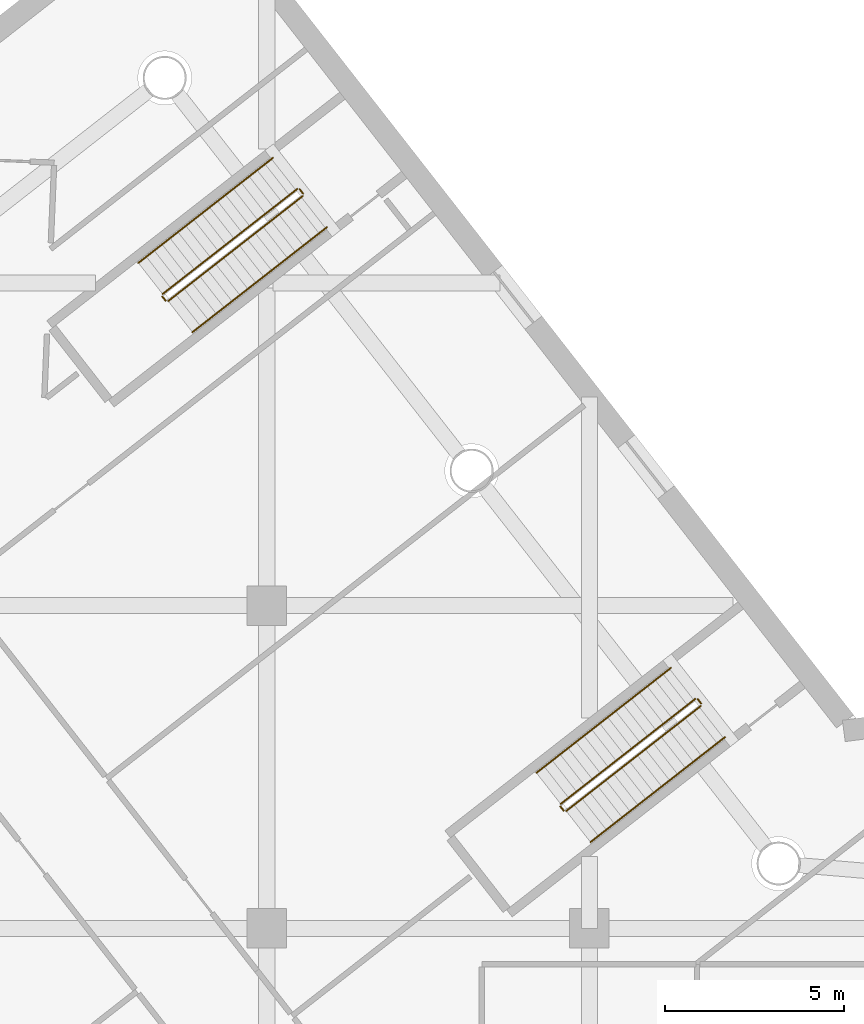
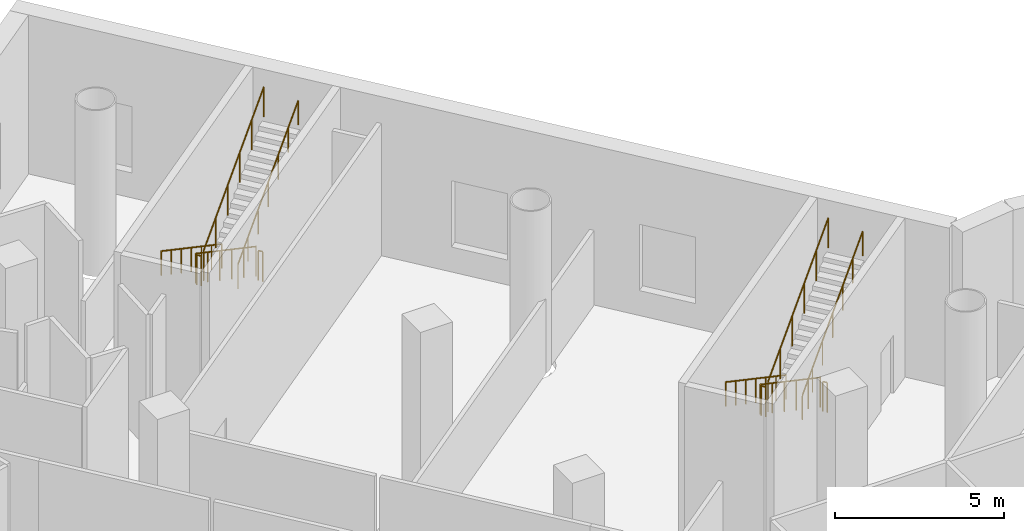
# One storey, part 24 of 24: 20 railings.
"""IFC4 building model written with IfcOpenShell, lengths in metres."""

from ifc_helpers import new_model, si_unit, direction, frame, origin, origin_2d, place, context, subcontext, project, spatial, circle, extrude, material, type_object, element, save


model = new_model("IFC4")

# Units and contexts
model_context = context("Model", 3, precision=1e-05, world=origin(), true_north=direction((0.0, 1.0)))
body_context = subcontext(model_context, "Body", "Model", "MODEL_VIEW")
ifc_project = project(units=[si_unit("LENGTHUNIT", "METRE"), si_unit("AREAUNIT", "SQUARE_METRE"), si_unit("VOLUMEUNIT", "CUBIC_METRE"), si_unit("PLANEANGLEUNIT", "RADIAN"), si_unit("MASSUNIT", "GRAM", prefix="KILO")], contexts=[model_context])

# Site, building, storey
site_placement = place(None, origin())
site = spatial("IfcSite", under=ifc_project, at=site_placement, CompositionType="ELEMENT")
building_placement = place(site_placement, origin())
building = spatial("IfcBuilding", under=site, at=building_placement, Name="Tarsis Ring Headquarters", CompositionType="ELEMENT")
storey_placement = place(building_placement, frame((0.0, 0.0, 8.0)))
storey = spatial("IfcBuildingStorey", under=building, at=storey_placement, Name="L01", CompositionType="ELEMENT", Elevation=8.0)

# Railings
ifc_material = material(Name="Stainless steel", Category="steel")
railing_type_1 = type_object("IfcRailingType", Name="PO-RL-G", PredefinedType="GUARDRAIL", material=ifc_material)
railing_1_placement = place(storey_placement, frame((-6.04931640625, 33.3994140625, 0.166748046875)))
element("IfcRailing", 1, at=railing_1_placement, inside=storey, type_object=railing_type_1, Name="L01 PS3 stair guard 1", PredefinedType="GUARDRAIL", context=body_context, shape_type="SweptSolid", body=[
    extrude(circle(Radius=0.02392578125, at=origin_2d()), frame((0.0, 0.0, 1.076171875), z_axis=(-0.677363890501, -0.528748428287, 0.511471660437), x_axis=(0.615324495023, -0.788273915479, 0.0)), (0.0, 0.0, 1.0), 5.539306640625),
    extrude(circle(Radius=0.02099609375, at=origin_2d()), origin(), (0.0, 0.0, 1.0), 1.052001953125),
    extrude(circle(Radius=0.02099609375, at=origin_2d()), frame((-0.75048828125, -0.585693359375, 0.566650390625)), (0.0, 0.0, 1.0), 1.052001953125),
    extrude(circle(Radius=0.02099609375, at=origin_2d()), frame((-1.5009765625, -1.171630859375, 1.13330078125)), (0.0, 0.0, 1.0), 1.052001953125),
    extrude(circle(Radius=0.02099609375, at=origin_2d()), frame((-2.251220703125, -1.75732421875, 1.699951171875)), (0.0, 0.0, 1.0), 1.052001953125),
    extrude(circle(Radius=0.02099609375, at=origin_2d()), frame((-3.001708984375, -2.34326171875, 2.2666015625)), (0.0, 0.0, 1.0), 1.052001953125),
    extrude(circle(Radius=0.02099609375, at=origin_2d()), frame((-3.752197265625, -2.928955078125, 2.833251953125)), (0.0, 0.0, 1.0), 1.052001953125),
])
railing_2_placement = place(storey_placement, frame((-9.810302734375, 30.400390625, 3.0)))
element("IfcRailing", 2, at=railing_2_placement, inside=storey, type_object=railing_type_1, Name="L01 PS3 stair guard 2", PredefinedType="GUARDRAIL", context=body_context, shape_type="SweptSolid", body=[
    extrude(circle(Radius=0.02392578125, at=origin_2d()), frame((0.0, 0.0, 1.076171875), z_axis=(0.615517636689, -0.788123111528, 0.0), x_axis=(0.788123111528, 0.615517636689, 0.0)), (0.0, 0.0, 1.0), 0.14990234375),
    extrude(circle(Radius=0.02099609375, at=origin_2d()), origin(), (0.0, 0.0, 1.0), 1.052001953125),
    extrude(circle(Radius=0.02099609375, at=origin_2d()), frame((0.09228515625, -0.1181640625, 0.0)), (0.0, 0.0, 1.0), 1.052001953125),
])
railing_3_placement = place(storey_placement, frame((-9.647705078125, 30.2734375, 3.166748046875)))
element("IfcRailing", 3, at=railing_3_placement, inside=storey, type_object=railing_type_1, Name="L01 PS3 stair guard 3", PredefinedType="GUARDRAIL", context=body_context, shape_type="SweptSolid", body=[
    extrude(circle(Radius=0.02392578125, at=origin_2d()), frame((0.0, 0.0, 1.076171875), z_axis=(0.677363890501, 0.528748428287, 0.511471660437), x_axis=(-0.615324495023, 0.788273915479, 0.0)), (0.0, 0.0, 1.0), 5.539306640625),
    extrude(circle(Radius=0.02099609375, at=origin_2d()), origin(), (0.0, 0.0, 1.0), 1.052001953125),
    extrude(circle(Radius=0.02099609375, at=origin_2d()), frame((0.75048828125, 0.585693359375, 0.566650390625)), (0.0, 0.0, 1.0), 1.052001953125),
    extrude(circle(Radius=0.02099609375, at=origin_2d()), frame((1.5009765625, 1.171630859375, 1.13330078125)), (0.0, 0.0, 1.0), 1.052001953125),
    extrude(circle(Radius=0.02099609375, at=origin_2d()), frame((2.251220703125, 1.75732421875, 1.699951171875)), (0.0, 0.0, 1.0), 1.052001953125),
    extrude(circle(Radius=0.02099609375, at=origin_2d()), frame((3.001708984375, 2.34326171875, 2.2666015625)), (0.0, 0.0, 1.0), 1.052001953125),
    extrude(circle(Radius=0.02099609375, at=origin_2d()), frame((3.752197265625, 2.928955078125, 2.833251953125)), (0.0, 0.0, 1.0), 1.052001953125),
])
railing_4_placement = place(storey_placement, frame((-5.979248046875, 33.390869140625, 0.0)))
element("IfcRailing", 4, at=railing_4_placement, inside=storey, type_object=railing_type_1, Name="L01 PS3 stair guard 4", PredefinedType="GUARDRAIL", context=body_context, shape_type="SweptSolid", body=[
    extrude(circle(Radius=0.02392578125, at=origin_2d()), frame((0.0, 0.0, 1.076171875), z_axis=(0.615517636689, -0.788123111528, 0.0), x_axis=(0.788123111528, 0.615517636689, 0.0)), (0.0, 0.0, 1.0), 0.14990234375),
    extrude(circle(Radius=0.02099609375, at=origin_2d()), origin(), (0.0, 0.0, 1.0), 1.052001953125),
    extrude(circle(Radius=0.02099609375, at=origin_2d()), frame((0.09228515625, -0.1181640625, 0.0)), (0.0, 0.0, 1.0), 1.052001953125),
])
railing_5_placement = place(storey_placement, frame((-17.1494140625, 47.61962890625, 0.166748046875)))
element("IfcRailing", 5, at=railing_5_placement, inside=storey, type_object=railing_type_1, Name="L01 PS4 stair guard 1", PredefinedType="GUARDRAIL", context=body_context, shape_type="SweptSolid", body=[
    extrude(circle(Radius=0.02392578125, at=origin_2d()), frame((0.0, 0.0, 1.076171875), z_axis=(-0.677363890501, -0.528748428287, 0.511471660437), x_axis=(0.615324495023, -0.788273915479, 0.0)), (0.0, 0.0, 1.0), 5.539306640625),
    extrude(circle(Radius=0.02099609375, at=origin_2d()), origin(), (0.0, 0.0, 1.0), 1.052001953125),
    extrude(circle(Radius=0.02099609375, at=origin_2d()), frame((-0.75048828125, -0.585693359375, 0.566650390625)), (0.0, 0.0, 1.0), 1.052001953125),
    extrude(circle(Radius=0.02099609375, at=origin_2d()), frame((-1.5009765625, -1.171630859375, 1.13330078125)), (0.0, 0.0, 1.0), 1.052001953125),
    extrude(circle(Radius=0.02099609375, at=origin_2d()), frame((-2.251220703125, -1.75732421875, 1.699951171875)), (0.0, 0.0, 1.0), 1.052001953125),
    extrude(circle(Radius=0.02099609375, at=origin_2d()), frame((-3.001708984375, -2.34326171875, 2.2666015625)), (0.0, 0.0, 1.0), 1.052001953125),
    extrude(circle(Radius=0.02099609375, at=origin_2d()), frame((-3.752197265625, -2.928955078125, 2.833251953125)), (0.0, 0.0, 1.0), 1.052001953125),
])
railing_6_placement = place(storey_placement, frame((-20.91015625, 44.620361328125, 3.0)))
element("IfcRailing", 6, at=railing_6_placement, inside=storey, type_object=railing_type_1, Name="L01 PS4 stair guard 2", PredefinedType="GUARDRAIL", context=body_context, shape_type="SweptSolid", body=[
    extrude(circle(Radius=0.02392578125, at=origin_2d()), frame((0.0, 0.0, 1.076171875), z_axis=(0.615517636689, -0.788123111528, 0.0), x_axis=(0.788123111528, 0.615517636689, 0.0)), (0.0, 0.0, 1.0), 0.14990234375),
    extrude(circle(Radius=0.02099609375, at=origin_2d()), origin(), (0.0, 0.0, 1.0), 1.052001953125),
    extrude(circle(Radius=0.02099609375, at=origin_2d()), frame((0.09228515625, -0.1181640625, 0.0)), (0.0, 0.0, 1.0), 1.052001953125),
])
railing_7_placement = place(storey_placement, frame((-20.747802734375, 44.493408203125, 3.166748046875)))
element("IfcRailing", 7, at=railing_7_placement, inside=storey, type_object=railing_type_1, Name="L01 PS4 stair guard 3", PredefinedType="GUARDRAIL", context=body_context, shape_type="SweptSolid", body=[
    extrude(circle(Radius=0.02392578125, at=origin_2d()), frame((0.0, 0.0, 1.076171875), z_axis=(0.677363890501, 0.528748428287, 0.511471660437), x_axis=(-0.615324495023, 0.788273915479, 0.0)), (0.0, 0.0, 1.0), 5.539306640625),
    extrude(circle(Radius=0.02099609375, at=origin_2d()), origin(), (0.0, 0.0, 1.0), 1.052001953125),
    extrude(circle(Radius=0.02099609375, at=origin_2d()), frame((0.75048828125, 0.585693359375, 0.566650390625)), (0.0, 0.0, 1.0), 1.052001953125),
    extrude(circle(Radius=0.02099609375, at=origin_2d()), frame((1.5009765625, 1.171630859375, 1.13330078125)), (0.0, 0.0, 1.0), 1.052001953125),
    extrude(circle(Radius=0.02099609375, at=origin_2d()), frame((2.251220703125, 1.75732421875, 1.699951171875)), (0.0, 0.0, 1.0), 1.052001953125),
    extrude(circle(Radius=0.02099609375, at=origin_2d()), frame((3.001708984375, 2.34326171875, 2.2666015625)), (0.0, 0.0, 1.0), 1.052001953125),
    extrude(circle(Radius=0.02099609375, at=origin_2d()), frame((3.752197265625, 2.928955078125, 2.833251953125)), (0.0, 0.0, 1.0), 1.052001953125),
])
railing_8_placement = place(storey_placement, frame((-17.0791015625, 47.61083984375, 0.0)))
element("IfcRailing", 8, at=railing_8_placement, inside=storey, type_object=railing_type_1, Name="L01 PS4 stair guard 4", PredefinedType="GUARDRAIL", context=body_context, shape_type="SweptSolid", body=[
    extrude(circle(Radius=0.02392578125, at=origin_2d()), frame((0.0, 0.0, 1.076171875), z_axis=(0.615517636689, -0.788123111528, 0.0), x_axis=(0.788123111528, 0.615517636689, 0.0)), (0.0, 0.0, 1.0), 0.14990234375),
    extrude(circle(Radius=0.02099609375, at=origin_2d()), origin(), (0.0, 0.0, 1.0), 1.052001953125),
    extrude(circle(Radius=0.02099609375, at=origin_2d()), frame((0.09228515625, -0.1181640625, 0.0)), (0.0, 0.0, 1.0), 1.052001953125),
])
railing_type_2 = type_object("IfcRailingType", Name="PO-RL-H", PredefinedType="HANDRAIL", material=ifc_material)
railing_9_placement = place(storey_placement, frame((-6.726318359375, 34.2666015625, 0.166748046875)))
element("IfcRailing", 9, at=railing_9_placement, inside=storey, type_object=railing_type_2, Name="L01 PS3 stair handrail 1", PredefinedType="HANDRAIL", context=body_context, shape_type="SweptSolid", body=[
    extrude(circle(Radius=0.02392578125, at=origin_2d()), frame((0.0, 0.0, 0.8759765625), z_axis=(-0.677379159691, -0.528760347376, 0.511439115691), x_axis=(0.615324495023, -0.788273915479, 0.0)), (0.0, 0.0, 1.0), 1.846435546875),
    extrude(circle(Radius=0.02099609375, at=origin_2d()), origin(), (0.0, 0.0, 1.0), 0.851806640625),
    extrude(circle(Radius=0.02099609375, at=origin_2d()), frame((-0.62548828125, -0.48828125, 0.47216796875)), (0.0, 0.0, 1.0), 0.851806640625),
    extrude(circle(Radius=0.02099609375, at=origin_2d()), frame((-1.250732421875, -0.976318359375, 0.9443359375)), (0.0, 0.0, 1.0), 0.851806640625),
])
railing_10_placement = place(storey_placement, frame((-7.97705078125, 33.290283203125, 1.111083984375)))
element("IfcRailing", 10, at=railing_10_placement, inside=storey, type_object=railing_type_2, Name="L01 PS3 stair handrail 1 bay 2", PredefinedType="HANDRAIL", context=body_context, shape_type="SweptSolid", body=[
    extrude(circle(Radius=0.02392578125, at=origin_2d()), frame((0.0, 0.0, 0.8759765625), z_axis=(-0.67733335127, -0.528724589445, 0.511536743327), x_axis=(0.615324495023, -0.788273915479, 0.0)), (0.0, 0.0, 1.0), 1.846435546875),
    extrude(circle(Radius=0.02099609375, at=origin_2d()), frame((-0.62548828125, -0.48828125, 0.47216796875)), (0.0, 0.0, 1.0), 0.851806640625),
    extrude(circle(Radius=0.02099609375, at=origin_2d()), frame((-1.250732421875, -0.976318359375, 0.944580078125)), (0.0, 0.0, 1.0), 0.851806640625),
])
railing_11_placement = place(storey_placement, frame((-9.227783203125, 32.31396484375, 2.0556640625)))
element("IfcRailing", 11, at=railing_11_placement, inside=storey, type_object=railing_type_2, Name="L01 PS3 stair handrail 1 bay 3", PredefinedType="HANDRAIL", context=body_context, shape_type="SweptSolid", body=[
    extrude(circle(Radius=0.02392578125, at=origin_2d()), frame((0.0, 0.0, 0.8759765625), z_axis=(-0.677379159691, -0.528760347376, 0.511439115691), x_axis=(0.615324495023, -0.788273915479, 0.0)), (0.0, 0.0, 1.0), 1.846435546875),
    extrude(circle(Radius=0.02099609375, at=origin_2d()), frame((-0.62548828125, -0.48828125, 0.47216796875)), (0.0, 0.0, 1.0), 0.851806640625),
    extrude(circle(Radius=0.02099609375, at=origin_2d()), frame((-1.250732421875, -0.976318359375, 0.9443359375)), (0.0, 0.0, 1.0), 0.851806640625),
])
railing_12_placement = place(storey_placement, frame((-8.970947265625, 29.406494140625, 3.166748046875)))
element("IfcRailing", 12, at=railing_12_placement, inside=storey, type_object=railing_type_2, Name="L01 PS3 stair handrail 2", PredefinedType="HANDRAIL", context=body_context, shape_type="SweptSolid", body=[
    extrude(circle(Radius=0.02392578125, at=origin_2d()), frame((0.0, 0.0, 0.8759765625), z_axis=(0.677379159691, 0.528760347376, 0.511439115691), x_axis=(-0.615324495023, 0.788273915479, 0.0)), (0.0, 0.0, 1.0), 1.846435546875),
    extrude(circle(Radius=0.02099609375, at=origin_2d()), origin(), (0.0, 0.0, 1.0), 0.851806640625),
    extrude(circle(Radius=0.02099609375, at=origin_2d()), frame((0.62548828125, 0.48828125, 0.47216796875)), (0.0, 0.0, 1.0), 0.851806640625),
    extrude(circle(Radius=0.02099609375, at=origin_2d()), frame((1.250732421875, 0.976318359375, 0.9443359375)), (0.0, 0.0, 1.0), 0.851806640625),
])
railing_13_placement = place(storey_placement, frame((-7.72021484375, 30.3828125, 4.111083984375)))
element("IfcRailing", 13, at=railing_13_placement, inside=storey, type_object=railing_type_2, Name="L01 PS3 stair handrail 2 bay 2", PredefinedType="HANDRAIL", context=body_context, shape_type="SweptSolid", body=[
    extrude(circle(Radius=0.02392578125, at=origin_2d()), frame((0.0, 0.0, 0.8759765625), z_axis=(0.67733335127, 0.528724589445, 0.511536743327), x_axis=(-0.615324495023, 0.788273915479, 0.0)), (0.0, 0.0, 1.0), 1.846435546875),
    extrude(circle(Radius=0.02099609375, at=origin_2d()), frame((0.62548828125, 0.48828125, 0.47216796875)), (0.0, 0.0, 1.0), 0.851806640625),
    extrude(circle(Radius=0.02099609375, at=origin_2d()), frame((1.250732421875, 0.976318359375, 0.944580078125)), (0.0, 0.0, 1.0), 0.851806640625),
])
railing_14_placement = place(storey_placement, frame((-6.469482421875, 31.359130859375, 5.0556640625)))
element("IfcRailing", 14, at=railing_14_placement, inside=storey, type_object=railing_type_2, Name="L01 PS3 stair handrail 2 bay 3", PredefinedType="HANDRAIL", context=body_context, shape_type="SweptSolid", body=[
    extrude(circle(Radius=0.02392578125, at=origin_2d()), frame((0.0, 0.0, 0.8759765625), z_axis=(0.677379159691, 0.528760347376, 0.511439115691), x_axis=(-0.615324495023, 0.788273915479, 0.0)), (0.0, 0.0, 1.0), 1.846435546875),
    extrude(circle(Radius=0.02099609375, at=origin_2d()), frame((0.62548828125, 0.48828125, 0.47216796875)), (0.0, 0.0, 1.0), 0.851806640625),
    extrude(circle(Radius=0.02099609375, at=origin_2d()), frame((1.250732421875, 0.976318359375, 0.9443359375)), (0.0, 0.0, 1.0), 0.851806640625),
])
railing_15_placement = place(storey_placement, frame((-17.826171875, 48.486572265625, 0.166748046875)))
element("IfcRailing", 15, at=railing_15_placement, inside=storey, type_object=railing_type_2, Name="L01 PS4 stair handrail 1", PredefinedType="HANDRAIL", context=body_context, shape_type="SweptSolid", body=[
    extrude(circle(Radius=0.02392578125, at=origin_2d()), frame((0.0, 0.0, 0.8759765625), z_axis=(-0.677379159691, -0.528760347376, 0.511439115691), x_axis=(0.615324495023, -0.788273915479, 0.0)), (0.0, 0.0, 1.0), 1.846435546875),
    extrude(circle(Radius=0.02099609375, at=origin_2d()), origin(), (0.0, 0.0, 1.0), 0.851806640625),
    extrude(circle(Radius=0.02099609375, at=origin_2d()), frame((-0.62548828125, -0.48828125, 0.47216796875)), (0.0, 0.0, 1.0), 0.851806640625),
    extrude(circle(Radius=0.02099609375, at=origin_2d()), frame((-1.250732421875, -0.976318359375, 0.9443359375)), (0.0, 0.0, 1.0), 0.851806640625),
])
railing_16_placement = place(storey_placement, frame((-19.076904296875, 47.51025390625, 1.111083984375)))
element("IfcRailing", 16, at=railing_16_placement, inside=storey, type_object=railing_type_2, Name="L01 PS4 stair handrail 1 bay 2", PredefinedType="HANDRAIL", context=body_context, shape_type="SweptSolid", body=[
    extrude(circle(Radius=0.02392578125, at=origin_2d()), frame((0.0, 0.0, 0.8759765625), z_axis=(-0.67733335127, -0.528724589445, 0.511536743327), x_axis=(0.615324495023, -0.788273915479, 0.0)), (0.0, 0.0, 1.0), 1.846435546875),
    extrude(circle(Radius=0.02099609375, at=origin_2d()), frame((-0.62548828125, -0.48828125, 0.47216796875)), (0.0, 0.0, 1.0), 0.851806640625),
    extrude(circle(Radius=0.02099609375, at=origin_2d()), frame((-1.250732421875, -0.976318359375, 0.944580078125)), (0.0, 0.0, 1.0), 0.851806640625),
])
railing_17_placement = place(storey_placement, frame((-20.32763671875, 46.533935546875, 2.0556640625)))
element("IfcRailing", 17, at=railing_17_placement, inside=storey, type_object=railing_type_2, Name="L01 PS4 stair handrail 1 bay 3", PredefinedType="HANDRAIL", context=body_context, shape_type="SweptSolid", body=[
    extrude(circle(Radius=0.02392578125, at=origin_2d()), frame((0.0, 0.0, 0.8759765625), z_axis=(-0.677379159691, -0.528760347376, 0.511439115691), x_axis=(0.615324495023, -0.788273915479, 0.0)), (0.0, 0.0, 1.0), 1.846435546875),
    extrude(circle(Radius=0.02099609375, at=origin_2d()), frame((-0.62548828125, -0.48828125, 0.47216796875)), (0.0, 0.0, 1.0), 0.851806640625),
    extrude(circle(Radius=0.02099609375, at=origin_2d()), frame((-1.250732421875, -0.976318359375, 0.9443359375)), (0.0, 0.0, 1.0), 0.851806640625),
])
railing_18_placement = place(storey_placement, frame((-20.07080078125, 43.62646484375, 3.166748046875)))
element("IfcRailing", 18, at=railing_18_placement, inside=storey, type_object=railing_type_2, Name="L01 PS4 stair handrail 2", PredefinedType="HANDRAIL", context=body_context, shape_type="SweptSolid", body=[
    extrude(circle(Radius=0.02392578125, at=origin_2d()), frame((0.0, 0.0, 0.8759765625), z_axis=(0.677379159691, 0.528760347376, 0.511439115691), x_axis=(-0.615324495023, 0.788273915479, 0.0)), (0.0, 0.0, 1.0), 1.846435546875),
    extrude(circle(Radius=0.02099609375, at=origin_2d()), origin(), (0.0, 0.0, 1.0), 0.851806640625),
    extrude(circle(Radius=0.02099609375, at=origin_2d()), frame((0.62548828125, 0.48828125, 0.47216796875)), (0.0, 0.0, 1.0), 0.851806640625),
    extrude(circle(Radius=0.02099609375, at=origin_2d()), frame((1.250732421875, 0.976318359375, 0.9443359375)), (0.0, 0.0, 1.0), 0.851806640625),
])
railing_19_placement = place(storey_placement, frame((-18.820068359375, 44.602783203125, 4.111083984375)))
element("IfcRailing", 19, at=railing_19_placement, inside=storey, type_object=railing_type_2, Name="L01 PS4 stair handrail 2 bay 2", PredefinedType="HANDRAIL", context=body_context, shape_type="SweptSolid", body=[
    extrude(circle(Radius=0.02392578125, at=origin_2d()), frame((0.0, 0.0, 0.8759765625), z_axis=(0.67733335127, 0.528724589445, 0.511536743327), x_axis=(-0.615324495023, 0.788273915479, 0.0)), (0.0, 0.0, 1.0), 1.846435546875),
    extrude(circle(Radius=0.02099609375, at=origin_2d()), frame((0.62548828125, 0.48828125, 0.47216796875)), (0.0, 0.0, 1.0), 0.851806640625),
    extrude(circle(Radius=0.02099609375, at=origin_2d()), frame((1.250732421875, 0.976318359375, 0.944580078125)), (0.0, 0.0, 1.0), 0.851806640625),
])
railing_20_placement = place(storey_placement, frame((-17.5693359375, 45.5791015625, 5.0556640625)))
element("IfcRailing", 20, at=railing_20_placement, inside=storey, type_object=railing_type_2, Name="L01 PS4 stair handrail 2 bay 3", PredefinedType="HANDRAIL", context=body_context, shape_type="SweptSolid", body=[
    extrude(circle(Radius=0.02392578125, at=origin_2d()), frame((0.0, 0.0, 0.8759765625), z_axis=(0.677379159691, 0.528760347376, 0.511439115691), x_axis=(-0.615324495023, 0.788273915479, 0.0)), (0.0, 0.0, 1.0), 1.846435546875),
    extrude(circle(Radius=0.02099609375, at=origin_2d()), frame((0.62548828125, 0.48828125, 0.47216796875)), (0.0, 0.0, 1.0), 0.851806640625),
    extrude(circle(Radius=0.02099609375, at=origin_2d()), frame((1.250732421875, 0.976318359375, 0.9443359375)), (0.0, 0.0, 1.0), 0.851806640625),
])

save(model, "model.ifc")
